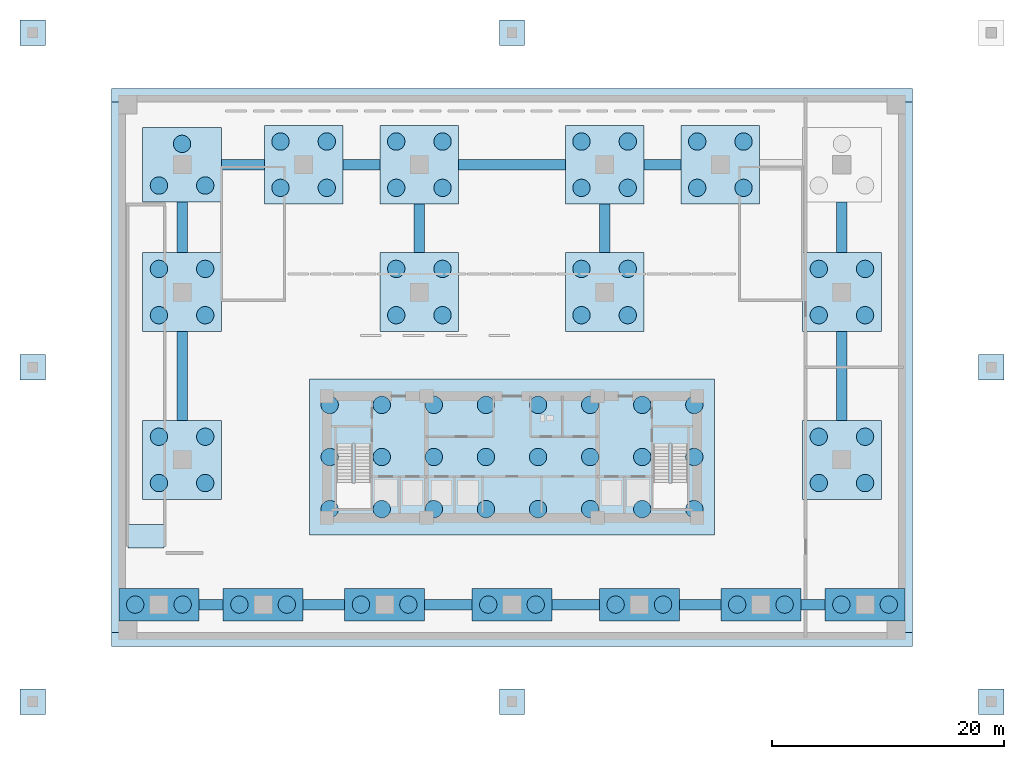
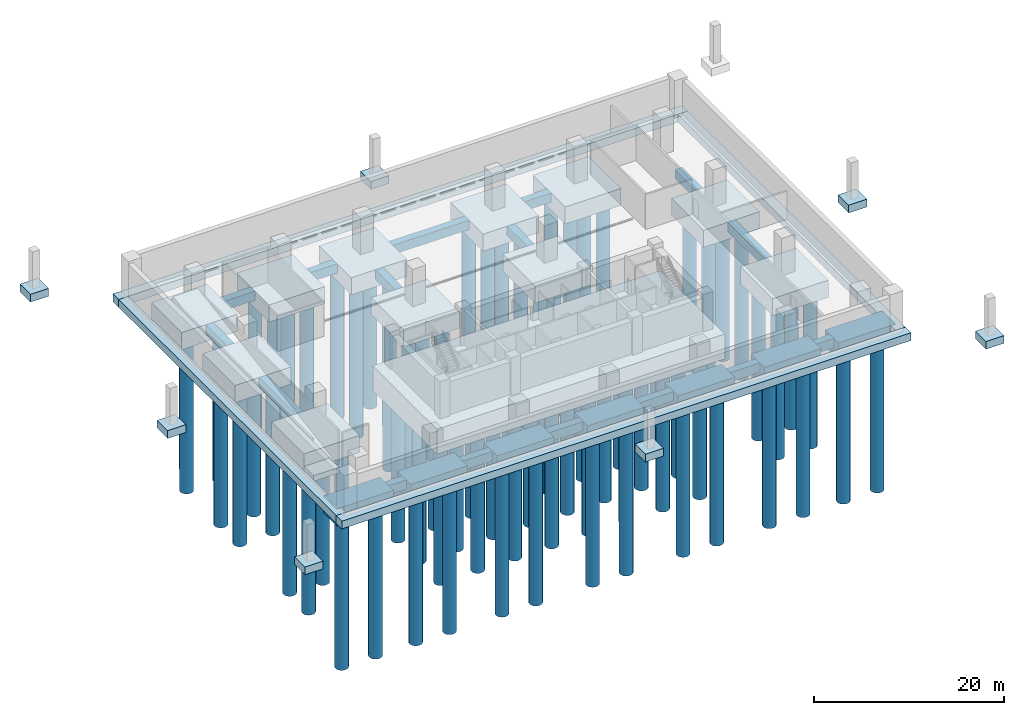
# One storey, part 1 of 8: 81 piles, 47 footings.
"""IFC4 building model written with IfcOpenShell, lengths in metres."""

from ifc_helpers import new_model, si_unit, direction, frame, origin, origin_2d, place, context, subcontext, project, spatial, polyline, rectangle, circle, outline, extrude, material, layer, layer_set, material_profile, profile_set, type_object, element, save


model = new_model("IFC4")

# Units and contexts
model_context = context("Model", 3, precision=1e-05, world=origin(), true_north=direction((0.0, 1.0)))
body_context = subcontext(model_context, "Body", "Model", "MODEL_VIEW")
ifc_project = project(units=[si_unit("LENGTHUNIT", "METRE"), si_unit("AREAUNIT", "SQUARE_METRE"), si_unit("VOLUMEUNIT", "CUBIC_METRE"), si_unit("PLANEANGLEUNIT", "RADIAN"), si_unit("MASSUNIT", "GRAM", prefix="KILO")], contexts=[model_context])

# Site, building, storey
site_placement = place(None, origin())
site = spatial("IfcSite", under=ifc_project, at=site_placement, CompositionType="ELEMENT")
building_placement = place(site_placement, origin())
building = spatial("IfcBuilding", under=site, at=building_placement, Name="Solmavex Isthmus Hotel", CompositionType="ELEMENT")
storey_placement = place(building_placement, frame((0.0, 0.0, -10.0)))
storey = spatial("IfcBuildingStorey", under=building, at=storey_placement, Name="B02", CompositionType="ELEMENT", Elevation=-10.0)

# Footings
ifc_material = material(Name="Concrete C50/60", Category="concrete")
ifc_layer_1 = layer(ifc_material, 1.0)
ifc_layer_set_1 = layer_set([ifc_layer_1], Name="Concrete C50/60")
footing_type_1 = type_object("IfcFootingType", Name="FTG-AP-2200", PredefinedType="PAD_FOOTING", material=ifc_layer_set_1)
footing_1_placement = place(storey_placement, frame((0.0, 0.0, -1.0)))
element("IfcFooting", 1, at=footing_1_placement, inside=storey, type_object=footing_type_1, Name="Plaza Pier Pad Footing AP-NW", PredefinedType="PAD_FOOTING", context=body_context, shape_type="SweptSolid", body=[
    extrude(outline(polyline([(-42.5, 27.800048828125), (-40.300048828125, 27.800048828125), (-40.300048828125, 30.0), (-42.5, 30.0), (-42.5, 27.800048828125)])), origin(), (0.0, 0.0, 1.0), 1.0),
])
footing_2_placement = place(storey_placement, frame((0.0, 0.0, -1.0)))
element("IfcFooting", 2, at=footing_2_placement, inside=storey, type_object=footing_type_1, Name="Plaza Pier Pad Footing AP-N0", PredefinedType="PAD_FOOTING", context=body_context, shape_type="SweptSolid", body=[
    extrude(outline(polyline([(-1.10009765625, 27.800048828125), (1.10009765625, 27.800048828125), (1.10009765625, 30.0), (-1.10009765625, 30.0), (-1.10009765625, 27.800048828125)])), origin(), (0.0, 0.0, 1.0), 1.0),
])
footing_3_placement = place(storey_placement, frame((0.0, 0.0, -1.0)))
element("IfcFooting", 3, at=footing_3_placement, inside=storey, type_object=footing_type_1, Name="Plaza Pier Pad Footing AP-SW", PredefinedType="PAD_FOOTING", context=body_context, shape_type="SweptSolid", body=[
    extrude(outline(polyline([(-42.5, -30.0), (-40.300048828125, -30.0), (-40.300048828125, -27.800048828125), (-42.5, -27.800048828125), (-42.5, -30.0)])), origin(), (0.0, 0.0, 1.0), 1.0),
])
footing_4_placement = place(storey_placement, frame((0.0, 0.0, -1.0)))
element("IfcFooting", 4, at=footing_4_placement, inside=storey, type_object=footing_type_1, Name="Plaza Pier Pad Footing AP-S0", PredefinedType="PAD_FOOTING", context=body_context, shape_type="SweptSolid", body=[
    extrude(outline(polyline([(-1.10009765625, -30.0), (1.10009765625, -30.0), (1.10009765625, -27.800048828125), (-1.10009765625, -27.800048828125), (-1.10009765625, -30.0)])), origin(), (0.0, 0.0, 1.0), 1.0),
])
footing_5_placement = place(storey_placement, frame((0.0, 0.0, -1.0)))
element("IfcFooting", 5, at=footing_5_placement, inside=storey, type_object=footing_type_1, Name="Plaza Pier Pad Footing AP-SE", PredefinedType="PAD_FOOTING", context=body_context, shape_type="SweptSolid", body=[
    extrude(outline(polyline([(40.300048828125, -30.0), (42.5, -30.0), (42.5, -27.800048828125), (40.300048828125, -27.800048828125), (40.300048828125, -30.0)])), origin(), (0.0, 0.0, 1.0), 1.0),
])
footing_6_placement = place(storey_placement, frame((0.0, 0.0, -1.0)))
element("IfcFooting", 6, at=footing_6_placement, inside=storey, type_object=footing_type_1, Name="Plaza Pier Pad Footing AP-W0", PredefinedType="PAD_FOOTING", context=body_context, shape_type="SweptSolid", body=[
    extrude(outline(polyline([(-42.5, -1.10009765625), (-40.300048828125, -1.10009765625), (-40.300048828125, 1.10009765625), (-42.5, 1.10009765625), (-42.5, -1.10009765625)])), origin(), (0.0, 0.0, 1.0), 1.0),
])
footing_7_placement = place(storey_placement, frame((0.0, 0.0, -1.0)))
element("IfcFooting", 7, at=footing_7_placement, inside=storey, type_object=footing_type_1, Name="Plaza Pier Pad Footing AP-E0", PredefinedType="PAD_FOOTING", context=body_context, shape_type="SweptSolid", body=[
    extrude(outline(polyline([(40.300048828125, -1.10009765625), (42.5, -1.10009765625), (42.5, 1.10009765625), (40.300048828125, 1.10009765625), (40.300048828125, -1.10009765625)])), origin(), (0.0, 0.0, 1.0), 1.0),
])
footing_8_placement = place(storey_placement, frame((0.0, 0.0, -1.0)))
element("IfcFooting", 8, at=footing_8_placement, inside=storey, type_object=footing_type_1, Name="Vehicular Ramp R1 Toe Bearing Pad Footing", PredefinedType="PAD_FOOTING", context=body_context, shape_type="SweptSolid", body=[
    extrude(outline(polyline([(-33.14990234375, -15.60009765625), (-30.050048828125, -15.60009765625), (-30.050048828125, -13.60009765625), (-33.14990234375, -13.60009765625), (-33.14990234375, -15.60009765625)])), origin(), (0.0, 0.0, 1.0), 0.719970703125),
])
ifc_layer_2 = layer(ifc_material, 2.199951171875)
ifc_layer_set_2 = layer_set([ifc_layer_2], Name="Concrete C50/60")
footing_type_2 = type_object("IfcFootingType", Name="FTG-FC-2P", PredefinedType="PILE_CAP", material=ifc_layer_set_2)
footing_9_placement = place(storey_placement, frame((0.0, 0.0, -2.64990234375)))
element("IfcFooting", 9, at=footing_9_placement, inside=storey, type_object=footing_type_2, Name="Combined Pile Cap PC-S1", PredefinedType="PILE_CAP", context=body_context, shape_type="SweptSolid", body=[
    extrude(outline(polyline([(-33.949951171875, -21.89990234375), (-27.050048828125, -21.89990234375), (-27.050048828125, -19.10009765625), (-33.949951171875, -19.10009765625), (-33.949951171875, -21.89990234375)])), origin(), (0.0, 0.0, 1.0), 2.199951171875),
])
footing_10_placement = place(storey_placement, frame((0.0, 0.0, -2.64990234375)))
element("IfcFooting", 10, at=footing_10_placement, inside=storey, type_object=footing_type_2, Name="Combined Pile Cap PC-S2", PredefinedType="PILE_CAP", context=body_context, shape_type="SweptSolid", body=[
    extrude(outline(polyline([(-24.949951171875, -21.89990234375), (-18.050048828125, -21.89990234375), (-18.050048828125, -19.10009765625), (-24.949951171875, -19.10009765625), (-24.949951171875, -21.89990234375)])), origin(), (0.0, 0.0, 1.0), 2.199951171875),
])
footing_11_placement = place(storey_placement, frame((0.0, 0.0, -2.64990234375)))
element("IfcFooting", 11, at=footing_11_placement, inside=storey, type_object=footing_type_2, Name="Combined Pile Cap PC-S3", PredefinedType="PILE_CAP", context=body_context, shape_type="SweptSolid", body=[
    extrude(outline(polyline([(-14.449951171875, -21.89990234375), (-7.550048828125, -21.89990234375), (-7.550048828125, -19.10009765625), (-14.449951171875, -19.10009765625), (-14.449951171875, -21.89990234375)])), origin(), (0.0, 0.0, 1.0), 2.199951171875),
])
footing_12_placement = place(storey_placement, frame((0.0, 0.0, -2.64990234375)))
element("IfcFooting", 12, at=footing_12_placement, inside=storey, type_object=footing_type_2, Name="Combined Pile Cap PC-S4", PredefinedType="PILE_CAP", context=body_context, shape_type="SweptSolid", body=[
    extrude(outline(polyline([(-3.449951171875, -21.89990234375), (3.449951171875, -21.89990234375), (3.449951171875, -19.10009765625), (-3.449951171875, -19.10009765625), (-3.449951171875, -21.89990234375)])), origin(), (0.0, 0.0, 1.0), 2.199951171875),
])
footing_13_placement = place(storey_placement, frame((0.0, 0.0, -2.64990234375)))
element("IfcFooting", 13, at=footing_13_placement, inside=storey, type_object=footing_type_2, Name="Combined Pile Cap PC-S5", PredefinedType="PILE_CAP", context=body_context, shape_type="SweptSolid", body=[
    extrude(outline(polyline([(7.550048828125, -21.89990234375), (14.449951171875, -21.89990234375), (14.449951171875, -19.10009765625), (7.550048828125, -19.10009765625), (7.550048828125, -21.89990234375)])), origin(), (0.0, 0.0, 1.0), 2.199951171875),
])
footing_14_placement = place(storey_placement, frame((0.0, 0.0, -2.64990234375)))
element("IfcFooting", 14, at=footing_14_placement, inside=storey, type_object=footing_type_2, Name="Combined Pile Cap PC-S6", PredefinedType="PILE_CAP", context=body_context, shape_type="SweptSolid", body=[
    extrude(outline(polyline([(18.050048828125, -21.89990234375), (24.949951171875, -21.89990234375), (24.949951171875, -19.10009765625), (18.050048828125, -19.10009765625), (18.050048828125, -21.89990234375)])), origin(), (0.0, 0.0, 1.0), 2.199951171875),
])
footing_15_placement = place(storey_placement, frame((0.0, 0.0, -2.64990234375)))
element("IfcFooting", 15, at=footing_15_placement, inside=storey, type_object=footing_type_2, Name="Combined Pile Cap PC-S7", PredefinedType="PILE_CAP", context=body_context, shape_type="SweptSolid", body=[
    extrude(outline(polyline([(27.050048828125, -21.89990234375), (33.949951171875, -21.89990234375), (33.949951171875, -19.10009765625), (27.050048828125, -19.10009765625), (27.050048828125, -21.89990234375)])), origin(), (0.0, 0.0, 1.0), 2.199951171875),
])
ifc_layer_3 = layer(ifc_material, 2.199951171875)
ifc_layer_set_3 = layer_set([ifc_layer_3], Name="Concrete C50/60")
footing_type_3 = type_object("IfcFootingType", Name="FTG-FC-3P", PredefinedType="PILE_CAP", material=ifc_layer_set_3)
footing_16_placement = place(storey_placement, frame((0.0, 0.0, -2.64990234375)))
element("IfcFooting", 16, at=footing_16_placement, inside=storey, type_object=footing_type_3, Name="Combined Pile Cap PC-N1", PredefinedType="PILE_CAP", context=body_context, shape_type="SweptSolid", body=[
    extrude(outline(polyline([(-31.89990234375, 14.300048828125), (-25.10009765625, 14.300048828125), (-25.10009765625, 20.699951171875), (-31.89990234375, 20.699951171875), (-31.89990234375, 14.300048828125)])), origin(), (0.0, 0.0, 1.0), 2.199951171875),
])
ifc_layer_4 = layer(ifc_material, 2.199951171875)
ifc_layer_set_4 = layer_set([ifc_layer_4], Name="Concrete C50/60")
footing_type_4 = type_object("IfcFootingType", Name="FTG-FC-4P", PredefinedType="PILE_CAP", material=ifc_layer_set_4)
footing_17_placement = place(storey_placement, frame((0.0, 0.0, -2.64990234375)))
element("IfcFooting", 17, at=footing_17_placement, inside=storey, type_object=footing_type_4, Name="Combined Pile Cap PC-W1", PredefinedType="PILE_CAP", context=body_context, shape_type="SweptSolid", body=[
    extrude(outline(polyline([(-31.89990234375, -11.39990234375), (-25.10009765625, -11.39990234375), (-25.10009765625, -4.60009765625), (-31.89990234375, -4.60009765625), (-31.89990234375, -11.39990234375)])), origin(), (0.0, 0.0, 1.0), 2.199951171875),
])
footing_18_placement = place(storey_placement, frame((0.0, 0.0, -2.64990234375)))
element("IfcFooting", 18, at=footing_18_placement, inside=storey, type_object=footing_type_4, Name="Combined Pile Cap PC-E1", PredefinedType="PILE_CAP", context=body_context, shape_type="SweptSolid", body=[
    extrude(outline(polyline([(25.10009765625, -11.39990234375), (31.89990234375, -11.39990234375), (31.89990234375, -4.60009765625), (25.10009765625, -4.60009765625), (25.10009765625, -11.39990234375)])), origin(), (0.0, 0.0, 1.0), 2.199951171875),
])
footing_19_placement = place(storey_placement, frame((0.0, 0.0, -2.64990234375)))
element("IfcFooting", 19, at=footing_19_placement, inside=storey, type_object=footing_type_4, Name="Combined Pile Cap PC-M1", PredefinedType="PILE_CAP", context=body_context, shape_type="SweptSolid", body=[
    extrude(outline(polyline([(-31.89990234375, 3.10009765625), (-25.10009765625, 3.10009765625), (-25.10009765625, 9.89990234375), (-31.89990234375, 9.89990234375), (-31.89990234375, 3.10009765625)])), origin(), (0.0, 0.0, 1.0), 2.199951171875),
])
footing_20_placement = place(storey_placement, frame((0.0, 0.0, -2.64990234375)))
element("IfcFooting", 20, at=footing_20_placement, inside=storey, type_object=footing_type_4, Name="Combined Pile Cap PC-M2", PredefinedType="PILE_CAP", context=body_context, shape_type="SweptSolid", body=[
    extrude(outline(polyline([(-11.39990234375, 3.10009765625), (-4.60009765625, 3.10009765625), (-4.60009765625, 9.89990234375), (-11.39990234375, 9.89990234375), (-11.39990234375, 3.10009765625)])), origin(), (0.0, 0.0, 1.0), 2.199951171875),
])
footing_21_placement = place(storey_placement, frame((0.0, 0.0, -2.64990234375)))
element("IfcFooting", 21, at=footing_21_placement, inside=storey, type_object=footing_type_4, Name="Combined Pile Cap PC-M3", PredefinedType="PILE_CAP", context=body_context, shape_type="SweptSolid", body=[
    extrude(outline(polyline([(4.60009765625, 3.10009765625), (11.39990234375, 3.10009765625), (11.39990234375, 9.89990234375), (4.60009765625, 9.89990234375), (4.60009765625, 3.10009765625)])), origin(), (0.0, 0.0, 1.0), 2.199951171875),
])
footing_22_placement = place(storey_placement, frame((0.0, 0.0, -2.64990234375)))
element("IfcFooting", 22, at=footing_22_placement, inside=storey, type_object=footing_type_4, Name="Combined Pile Cap PC-M4", PredefinedType="PILE_CAP", context=body_context, shape_type="SweptSolid", body=[
    extrude(outline(polyline([(25.10009765625, 3.10009765625), (31.89990234375, 3.10009765625), (31.89990234375, 9.89990234375), (25.10009765625, 9.89990234375), (25.10009765625, 3.10009765625)])), origin(), (0.0, 0.0, 1.0), 2.199951171875),
])
footing_23_placement = place(storey_placement, frame((0.0, 0.0, -2.64990234375)))
element("IfcFooting", 23, at=footing_23_placement, inside=storey, type_object=footing_type_4, Name="Combined Pile Cap PC-N2", PredefinedType="PILE_CAP", context=body_context, shape_type="SweptSolid", body=[
    extrude(outline(polyline([(-21.39990234375, 14.10009765625), (-14.60009765625, 14.10009765625), (-14.60009765625, 20.89990234375), (-21.39990234375, 20.89990234375), (-21.39990234375, 14.10009765625)])), origin(), (0.0, 0.0, 1.0), 2.199951171875),
])
footing_24_placement = place(storey_placement, frame((0.0, 0.0, -2.64990234375)))
element("IfcFooting", 24, at=footing_24_placement, inside=storey, type_object=footing_type_4, Name="Combined Pile Cap PC-N3", PredefinedType="PILE_CAP", context=body_context, shape_type="SweptSolid", body=[
    extrude(outline(polyline([(-11.39990234375, 14.10009765625), (-4.60009765625, 14.10009765625), (-4.60009765625, 20.89990234375), (-11.39990234375, 20.89990234375), (-11.39990234375, 14.10009765625)])), origin(), (0.0, 0.0, 1.0), 2.199951171875),
])
footing_25_placement = place(storey_placement, frame((0.0, 0.0, -2.64990234375)))
element("IfcFooting", 25, at=footing_25_placement, inside=storey, type_object=footing_type_4, Name="Combined Pile Cap PC-N4", PredefinedType="PILE_CAP", context=body_context, shape_type="SweptSolid", body=[
    extrude(outline(polyline([(4.60009765625, 14.10009765625), (11.39990234375, 14.10009765625), (11.39990234375, 20.89990234375), (4.60009765625, 20.89990234375), (4.60009765625, 14.10009765625)])), origin(), (0.0, 0.0, 1.0), 2.199951171875),
])
footing_26_placement = place(storey_placement, frame((0.0, 0.0, -2.64990234375)))
element("IfcFooting", 26, at=footing_26_placement, inside=storey, type_object=footing_type_4, Name="Combined Pile Cap PC-N5", PredefinedType="PILE_CAP", context=body_context, shape_type="SweptSolid", body=[
    extrude(outline(polyline([(14.60009765625, 14.10009765625), (21.39990234375, 14.10009765625), (21.39990234375, 20.89990234375), (14.60009765625, 20.89990234375), (14.60009765625, 14.10009765625)])), origin(), (0.0, 0.0, 1.0), 2.199951171875),
])
footing_type_5 = type_object("IfcFootingType", Name="FTG-GB-900X1200", PredefinedType="FOOTING_BEAM", material=ifc_material)
footing_27_placement = place(storey_placement, frame((-27.050048828125, -20.5, -1.050048828125), z_axis=(1.0, 0.0, 0.0), x_axis=(0.0, 1.0, 0.0)))
element("IfcFooting", 27, at=footing_27_placement, inside=storey, type_object=footing_type_5, Name="Foundation Tie Beam GB-01", PredefinedType="FOOTING_BEAM", context=body_context, shape_type="SweptSolid", body=[
    extrude(rectangle(XDim=0.89990234375, YDim=1.199951171875, at=origin_2d()), origin(), (0.0, 0.0, 1.0), 2.10009765625),
])
footing_28_placement = place(storey_placement, frame((-18.050048828125, -20.5, -1.050048828125), z_axis=(1.0, 0.0, 0.0), x_axis=(0.0, 1.0, 0.0)))
element("IfcFooting", 28, at=footing_28_placement, inside=storey, type_object=footing_type_5, Name="Foundation Tie Beam GB-02", PredefinedType="FOOTING_BEAM", context=body_context, shape_type="SweptSolid", body=[
    extrude(rectangle(XDim=0.89990234375, YDim=1.199951171875, at=origin_2d()), origin(), (0.0, 0.0, 1.0), 3.60009765625),
])
for number, where, z_axis, x_axis, name in (
    (29, (-7.550048828125, -20.5, -1.050048828125), (1.0, 0.0, 0.0), (0.0, 1.0, 0.0), "Foundation Tie Beam GB-03"),
    (30, (3.449951171875, -20.5, -1.050048828125), (1.0, 0.0, 0.0), (0.0, 1.0, 0.0), "Foundation Tie Beam GB-04"),
):
    element("IfcFooting", number, at=place(storey_placement, frame(where, z_axis=z_axis, x_axis=x_axis)), inside=storey, type_object=footing_type_5, Name=name, PredefinedType="FOOTING_BEAM", context=body_context, shape_type="SweptSolid", body=[
        extrude(rectangle(XDim=0.89990234375, YDim=1.199951171875, at=origin_2d()), origin(), (0.0, 0.0, 1.0), 4.10009765625),
    ])
footing_29_placement = place(storey_placement, frame((14.449951171875, -20.5, -1.050048828125), z_axis=(1.0, 0.0, 0.0), x_axis=(0.0, 1.0, 0.0)))
element("IfcFooting", 31, at=footing_29_placement, inside=storey, type_object=footing_type_5, Name="Foundation Tie Beam GB-05", PredefinedType="FOOTING_BEAM", context=body_context, shape_type="SweptSolid", body=[
    extrude(rectangle(XDim=0.89990234375, YDim=1.199951171875, at=origin_2d()), origin(), (0.0, 0.0, 1.0), 3.60009765625),
])
footing_30_placement = place(storey_placement, frame((24.949951171875, -20.5, -1.050048828125), z_axis=(1.0, 0.0, 0.0), x_axis=(0.0, 1.0, 0.0)))
element("IfcFooting", 32, at=footing_30_placement, inside=storey, type_object=footing_type_5, Name="Foundation Tie Beam GB-06", PredefinedType="FOOTING_BEAM", context=body_context, shape_type="SweptSolid", body=[
    extrude(rectangle(XDim=0.89990234375, YDim=1.199951171875, at=origin_2d()), origin(), (0.0, 0.0, 1.0), 2.10009765625),
])
footing_31_placement = place(storey_placement, frame((-28.5, -4.60009765625, -1.050048828125), z_axis=(0.0, 1.0, 0.0), x_axis=(-1.0, 0.0, 0.0)))
element("IfcFooting", 33, at=footing_31_placement, inside=storey, type_object=footing_type_5, Name="Foundation Tie Beam GB-07", PredefinedType="FOOTING_BEAM", context=body_context, shape_type="SweptSolid", body=[
    extrude(rectangle(XDim=0.89990234375, YDim=1.199951171875, at=origin_2d()), origin(), (0.0, 0.0, 1.0), 7.7001953125),
])
footing_32_placement = place(storey_placement, frame((-28.5, 9.89990234375, -1.050048828125), z_axis=(0.0, 1.0, 0.0), x_axis=(-1.0, 0.0, 0.0)))
element("IfcFooting", 34, at=footing_32_placement, inside=storey, type_object=footing_type_5, Name="Foundation Tie Beam GB-08", PredefinedType="FOOTING_BEAM", context=body_context, shape_type="SweptSolid", body=[
    extrude(rectangle(XDim=0.89990234375, YDim=1.199951171875, at=origin_2d()), origin(), (0.0, 0.0, 1.0), 4.400146484375),
])
footing_33_placement = place(storey_placement, frame((28.5, -4.60009765625, -1.050048828125), z_axis=(0.0, 1.0, 0.0), x_axis=(-1.0, 0.0, 0.0)))
element("IfcFooting", 35, at=footing_33_placement, inside=storey, type_object=footing_type_5, Name="Foundation Tie Beam GB-09", PredefinedType="FOOTING_BEAM", context=body_context, shape_type="SweptSolid", body=[
    extrude(rectangle(XDim=0.89990234375, YDim=1.199951171875, at=origin_2d()), origin(), (0.0, 0.0, 1.0), 7.7001953125),
])
footing_34_placement = place(storey_placement, frame((28.5, 9.89990234375, -1.050048828125), z_axis=(0.0, 1.0, 0.0), x_axis=(-1.0, 0.0, 0.0)))
element("IfcFooting", 36, at=footing_34_placement, inside=storey, type_object=footing_type_5, Name="Foundation Tie Beam GB-10", PredefinedType="FOOTING_BEAM", context=body_context, shape_type="SweptSolid", body=[
    extrude(rectangle(XDim=0.89990234375, YDim=1.199951171875, at=origin_2d()), origin(), (0.0, 0.0, 1.0), 4.400146484375),
])
footing_35_placement = place(storey_placement, frame((-25.10009765625, 17.5, -1.050048828125), z_axis=(1.0, 0.0, 0.0), x_axis=(0.0, 1.0, 0.0)))
element("IfcFooting", 37, at=footing_35_placement, inside=storey, type_object=footing_type_5, Name="Foundation Tie Beam GB-11", PredefinedType="FOOTING_BEAM", context=body_context, shape_type="SweptSolid", body=[
    extrude(rectangle(XDim=0.89990234375, YDim=1.199951171875, at=origin_2d()), origin(), (0.0, 0.0, 1.0), 3.7001953125),
])
footing_36_placement = place(storey_placement, frame((-14.60009765625, 17.5, -1.050048828125), z_axis=(1.0, 0.0, 0.0), x_axis=(0.0, 1.0, 0.0)))
element("IfcFooting", 38, at=footing_36_placement, inside=storey, type_object=footing_type_5, Name="Foundation Tie Beam GB-12", PredefinedType="FOOTING_BEAM", context=body_context, shape_type="SweptSolid", body=[
    extrude(rectangle(XDim=0.89990234375, YDim=1.199951171875, at=origin_2d()), origin(), (0.0, 0.0, 1.0), 3.2001953125),
])
footing_37_placement = place(storey_placement, frame((-4.60009765625, 17.5, -1.050048828125), z_axis=(1.0, 0.0, 0.0), x_axis=(0.0, 1.0, 0.0)))
element("IfcFooting", 39, at=footing_37_placement, inside=storey, type_object=footing_type_5, Name="Foundation Tie Beam GB-13", PredefinedType="FOOTING_BEAM", context=body_context, shape_type="SweptSolid", body=[
    extrude(rectangle(XDim=0.89990234375, YDim=1.199951171875, at=origin_2d()), origin(), (0.0, 0.0, 1.0), 9.2001953125),
])
footing_38_placement = place(storey_placement, frame((11.39990234375, 17.5, -1.050048828125), z_axis=(1.0, 0.0, 0.0), x_axis=(0.0, 1.0, 0.0)))
element("IfcFooting", 40, at=footing_38_placement, inside=storey, type_object=footing_type_5, Name="Foundation Tie Beam GB-14", PredefinedType="FOOTING_BEAM", context=body_context, shape_type="SweptSolid", body=[
    extrude(rectangle(XDim=0.89990234375, YDim=1.199951171875, at=origin_2d()), origin(), (0.0, 0.0, 1.0), 3.2001953125),
])
for number, where, z_axis, x_axis, name in (
    (41, (-8.0, 9.89990234375, -1.050048828125), (0.0, 1.0, 0.0), (-1.0, 0.0, 0.0), "Foundation Tie Beam GB-16"),
    (42, (8.0, 9.89990234375, -1.050048828125), (0.0, 1.0, 0.0), (-1.0, 0.0, 0.0), "Foundation Tie Beam GB-17"),
):
    element("IfcFooting", number, at=place(storey_placement, frame(where, z_axis=z_axis, x_axis=x_axis)), inside=storey, type_object=footing_type_5, Name=name, PredefinedType="FOOTING_BEAM", context=body_context, shape_type="SweptSolid", body=[
        extrude(rectangle(XDim=0.89990234375, YDim=1.199951171875, at=origin_2d()), origin(), (0.0, 0.0, 1.0), 4.2001953125),
    ])
ifc_layer_5 = layer(ifc_material, 3.199951171875)
ifc_layer_set_5 = layer_set([ifc_layer_5], Name="Concrete C50/60")
footing_type_6 = type_object("IfcFootingType", Name="FTG-RAFT-3200", PredefinedType="PAD_FOOTING", material=ifc_layer_set_5)
footing_39_placement = place(storey_placement, frame((0.0, 0.0, -3.64990234375)))
element("IfcFooting", 43, at=footing_39_placement, inside=storey, type_object=footing_type_6, Name="Core Piled Raft Foundation", PredefinedType="PAD_FOOTING", context=body_context, shape_type="SweptSolid", body=[
    extrude(outline(polyline([(-17.5, -14.5), (17.5, -14.5), (17.5, -1.0), (-17.5, -1.0), (-17.5, -14.5)])), origin(), (0.0, 0.0, 1.0), 3.199951171875),
])
ifc_layer_6 = layer(ifc_material, 1.0)
ifc_layer_set_6 = layer_set([ifc_layer_6], Name="Concrete C50/60")
footing_type_7 = type_object("IfcFootingType", Name="FTG-SF-1200X1000", PredefinedType="STRIP_FOOTING", material=ifc_layer_set_6)
footing_40_placement = place(storey_placement, frame((0.0, 0.0, -1.449951171875)))
element("IfcFooting", 44, at=footing_40_placement, inside=storey, type_object=footing_type_7, Name="Perimeter Strip Footing S", PredefinedType="STRIP_FOOTING", context=body_context, shape_type="SweptSolid", body=[
    extrude(outline(polyline([(-34.60009765625, -24.10009765625), (34.60009765625, -24.10009765625), (34.60009765625, -22.89990234375), (-34.60009765625, -22.89990234375), (-34.60009765625, -24.10009765625)])), origin(), (0.0, 0.0, 1.0), 1.0),
])
footing_41_placement = place(storey_placement, frame((0.0, 0.0, -1.449951171875)))
element("IfcFooting", 45, at=footing_41_placement, inside=storey, type_object=footing_type_7, Name="Perimeter Strip Footing N", PredefinedType="STRIP_FOOTING", context=body_context, shape_type="SweptSolid", body=[
    extrude(outline(polyline([(-34.60009765625, 22.89990234375), (34.60009765625, 22.89990234375), (34.60009765625, 24.10009765625), (-34.60009765625, 24.10009765625), (-34.60009765625, 22.89990234375)])), origin(), (0.0, 0.0, 1.0), 1.0),
])
footing_42_placement = place(storey_placement, frame((0.0, 0.0, -1.449951171875)))
element("IfcFooting", 46, at=footing_42_placement, inside=storey, type_object=footing_type_7, Name="Perimeter Strip Footing W", PredefinedType="STRIP_FOOTING", context=body_context, shape_type="SweptSolid", body=[
    extrude(outline(polyline([(-34.60009765625, -22.89990234375), (-33.39990234375, -22.89990234375), (-33.39990234375, 22.89990234375), (-34.60009765625, 22.89990234375), (-34.60009765625, -22.89990234375)])), origin(), (0.0, 0.0, 1.0), 1.0),
])
footing_43_placement = place(storey_placement, frame((0.0, 0.0, -1.449951171875)))
element("IfcFooting", 47, at=footing_43_placement, inside=storey, type_object=footing_type_7, Name="Perimeter Strip Footing E", PredefinedType="STRIP_FOOTING", context=body_context, shape_type="SweptSolid", body=[
    extrude(outline(polyline([(33.39990234375, -22.89990234375), (34.60009765625, -22.89990234375), (34.60009765625, 22.89990234375), (33.39990234375, 22.89990234375), (33.39990234375, -22.89990234375)])), origin(), (0.0, 0.0, 1.0), 1.0),
])

# Piles
ifc_material_profile = material_profile(ifc_material, circle(Radius=0.75, at=origin_2d()), Name="PILE1500")
ifc_profile_set = profile_set([ifc_material_profile], Name="Concrete C50/60")
pile_type = type_object("IfcPileType", Name="PILE-D1500", PredefinedType="BORED", material=ifc_profile_set)
for number, where, z_axis, x_axis, name in (
    (48, (-15.75, -12.25, -3.5), (0.0, 0.0, -1.0), (1.0, 0.0, 0.0), "Bored Pile RAFT-CORE-P01"),
    (49, (-11.25, -12.25, -3.5), (0.0, 0.0, -1.0), (1.0, 0.0, 0.0), "Bored Pile RAFT-CORE-P02"),
    (50, (-6.75, -12.25, -3.5), (0.0, 0.0, -1.0), (1.0, 0.0, 0.0), "Bored Pile RAFT-CORE-P03"),
    (51, (-2.25, -12.25, -3.5), (0.0, 0.0, -1.0), (1.0, 0.0, 0.0), "Bored Pile RAFT-CORE-P04"),
    (52, (2.25, -12.25, -3.5), (0.0, 0.0, -1.0), (1.0, 0.0, 0.0), "Bored Pile RAFT-CORE-P05"),
    (53, (6.75, -12.25, -3.5), (0.0, 0.0, -1.0), (1.0, 0.0, 0.0), "Bored Pile RAFT-CORE-P06"),
    (54, (11.25, -12.25, -3.5), (0.0, 0.0, -1.0), (1.0, 0.0, 0.0), "Bored Pile RAFT-CORE-P07"),
    (55, (15.75, -12.25, -3.5), (0.0, 0.0, -1.0), (1.0, 0.0, 0.0), "Bored Pile RAFT-CORE-P08"),
    (56, (-15.75, -7.75, -3.5), (0.0, 0.0, -1.0), (1.0, 0.0, 0.0), "Bored Pile RAFT-CORE-P09"),
    (57, (-11.25, -7.75, -3.5), (0.0, 0.0, -1.0), (1.0, 0.0, 0.0), "Bored Pile RAFT-CORE-P10"),
    (58, (-6.75, -7.75, -3.5), (0.0, 0.0, -1.0), (1.0, 0.0, 0.0), "Bored Pile RAFT-CORE-P11"),
    (59, (-2.25, -7.75, -3.5), (0.0, 0.0, -1.0), (1.0, 0.0, 0.0), "Bored Pile RAFT-CORE-P12"),
    (60, (2.25, -7.75, -3.5), (0.0, 0.0, -1.0), (1.0, 0.0, 0.0), "Bored Pile RAFT-CORE-P13"),
    (61, (6.75, -7.75, -3.5), (0.0, 0.0, -1.0), (1.0, 0.0, 0.0), "Bored Pile RAFT-CORE-P14"),
    (62, (11.25, -7.75, -3.5), (0.0, 0.0, -1.0), (1.0, 0.0, 0.0), "Bored Pile RAFT-CORE-P15"),
    (63, (15.75, -7.75, -3.5), (0.0, 0.0, -1.0), (1.0, 0.0, 0.0), "Bored Pile RAFT-CORE-P16"),
    (64, (-15.75, -3.25, -3.5), (0.0, 0.0, -1.0), (1.0, 0.0, 0.0), "Bored Pile RAFT-CORE-P17"),
    (65, (-11.25, -3.25, -3.5), (0.0, 0.0, -1.0), (1.0, 0.0, 0.0), "Bored Pile RAFT-CORE-P18"),
    (66, (-6.75, -3.25, -3.5), (0.0, 0.0, -1.0), (1.0, 0.0, 0.0), "Bored Pile RAFT-CORE-P19"),
    (67, (-2.25, -3.25, -3.5), (0.0, 0.0, -1.0), (1.0, 0.0, 0.0), "Bored Pile RAFT-CORE-P20"),
    (68, (2.25, -3.25, -3.5), (0.0, 0.0, -1.0), (1.0, 0.0, 0.0), "Bored Pile RAFT-CORE-P21"),
    (69, (6.75, -3.25, -3.5), (0.0, 0.0, -1.0), (1.0, 0.0, 0.0), "Bored Pile RAFT-CORE-P22"),
    (70, (11.25, -3.25, -3.5), (0.0, 0.0, -1.0), (1.0, 0.0, 0.0), "Bored Pile RAFT-CORE-P23"),
    (71, (15.75, -3.25, -3.5), (0.0, 0.0, -1.0), (1.0, 0.0, 0.0), "Bored Pile RAFT-CORE-P24"),
):
    element("IfcPile", number, at=place(storey_placement, frame(where, z_axis=z_axis, x_axis=x_axis)), inside=storey, type_object=pile_type, Name=name, PredefinedType="BORED", context=body_context, shape_type="SweptSolid", body=[
        extrude(circle(Radius=0.75, at=origin_2d()), origin(), (0.0, 0.0, 1.0), 18.5),
    ])
for number, where, z_axis, x_axis, name in (
    (72, (-32.550048828125, -20.5, -2.5), (0.0, 0.0, -1.0), (1.0, 0.0, 0.0), "Bored Pile PC-S1-P01"),
    (73, (-28.449951171875, -20.5, -2.5), (0.0, 0.0, -1.0), (1.0, 0.0, 0.0), "Bored Pile PC-S1-P02"),
    (74, (-23.550048828125, -20.5, -2.5), (0.0, 0.0, -1.0), (1.0, 0.0, 0.0), "Bored Pile PC-S2-P01"),
    (75, (-19.449951171875, -20.5, -2.5), (0.0, 0.0, -1.0), (1.0, 0.0, 0.0), "Bored Pile PC-S2-P02"),
    (76, (-13.050048828125, -20.5, -2.5), (0.0, 0.0, -1.0), (1.0, 0.0, 0.0), "Bored Pile PC-S3-P01"),
    (77, (-8.949951171875, -20.5, -2.5), (0.0, 0.0, -1.0), (1.0, 0.0, 0.0), "Bored Pile PC-S3-P02"),
    (78, (-2.050048828125, -20.5, -2.5), (0.0, 0.0, -1.0), (1.0, 0.0, 0.0), "Bored Pile PC-S4-P01"),
    (79, (2.050048828125, -20.5, -2.5), (0.0, 0.0, -1.0), (1.0, 0.0, 0.0), "Bored Pile PC-S4-P02"),
    (80, (8.949951171875, -20.5, -2.5), (0.0, 0.0, -1.0), (1.0, 0.0, 0.0), "Bored Pile PC-S5-P01"),
    (81, (13.050048828125, -20.5, -2.5), (0.0, 0.0, -1.0), (1.0, 0.0, 0.0), "Bored Pile PC-S5-P02"),
    (82, (19.449951171875, -20.5, -2.5), (0.0, 0.0, -1.0), (1.0, 0.0, 0.0), "Bored Pile PC-S6-P01"),
    (83, (23.550048828125, -20.5, -2.5), (0.0, 0.0, -1.0), (1.0, 0.0, 0.0), "Bored Pile PC-S6-P02"),
    (84, (28.449951171875, -20.5, -2.5), (0.0, 0.0, -1.0), (1.0, 0.0, 0.0), "Bored Pile PC-S7-P01"),
    (85, (32.550048828125, -20.5, -2.5), (0.0, 0.0, -1.0), (1.0, 0.0, 0.0), "Bored Pile PC-S7-P02"),
    (86, (-30.5, -10.0, -2.5), (0.0, 0.0, -1.0), (1.0, 0.0, 0.0), "Bored Pile PC-W1-P01"),
    (87, (-26.5, -10.0, -2.5), (0.0, 0.0, -1.0), (1.0, 0.0, 0.0), "Bored Pile PC-W1-P02"),
    (88, (-30.5, -6.0, -2.5), (0.0, 0.0, -1.0), (1.0, 0.0, 0.0), "Bored Pile PC-W1-P03"),
    (89, (-26.5, -6.0, -2.5), (0.0, 0.0, -1.0), (1.0, 0.0, 0.0), "Bored Pile PC-W1-P04"),
    (90, (26.5, -10.0, -2.5), (0.0, 0.0, -1.0), (1.0, 0.0, 0.0), "Bored Pile PC-E1-P01"),
    (91, (30.5, -10.0, -2.5), (0.0, 0.0, -1.0), (1.0, 0.0, 0.0), "Bored Pile PC-E1-P02"),
    (92, (26.5, -6.0, -2.5), (0.0, 0.0, -1.0), (1.0, 0.0, 0.0), "Bored Pile PC-E1-P03"),
    (93, (30.5, -6.0, -2.5), (0.0, 0.0, -1.0), (1.0, 0.0, 0.0), "Bored Pile PC-E1-P04"),
    (94, (-30.5, 4.5, -2.5), (0.0, 0.0, -1.0), (1.0, 0.0, 0.0), "Bored Pile PC-M1-P01"),
    (95, (-26.5, 4.5, -2.5), (0.0, 0.0, -1.0), (1.0, 0.0, 0.0), "Bored Pile PC-M1-P02"),
    (96, (-30.5, 8.5, -2.5), (0.0, 0.0, -1.0), (1.0, 0.0, 0.0), "Bored Pile PC-M1-P03"),
    (97, (-26.5, 8.5, -2.5), (0.0, 0.0, -1.0), (1.0, 0.0, 0.0), "Bored Pile PC-M1-P04"),
    (98, (-10.0, 4.5, -2.5), (0.0, 0.0, -1.0), (1.0, 0.0, 0.0), "Bored Pile PC-M2-P01"),
    (99, (-6.0, 4.5, -2.5), (0.0, 0.0, -1.0), (1.0, 0.0, 0.0), "Bored Pile PC-M2-P02"),
    (100, (-10.0, 8.5, -2.5), (0.0, 0.0, -1.0), (1.0, 0.0, 0.0), "Bored Pile PC-M2-P03"),
    (101, (-6.0, 8.5, -2.5), (0.0, 0.0, -1.0), (1.0, 0.0, 0.0), "Bored Pile PC-M2-P04"),
    (102, (6.0, 4.5, -2.5), (0.0, 0.0, -1.0), (1.0, 0.0, 0.0), "Bored Pile PC-M3-P01"),
    (103, (10.0, 4.5, -2.5), (0.0, 0.0, -1.0), (1.0, 0.0, 0.0), "Bored Pile PC-M3-P02"),
    (104, (6.0, 8.5, -2.5), (0.0, 0.0, -1.0), (1.0, 0.0, 0.0), "Bored Pile PC-M3-P03"),
    (105, (10.0, 8.5, -2.5), (0.0, 0.0, -1.0), (1.0, 0.0, 0.0), "Bored Pile PC-M3-P04"),
    (106, (26.5, 4.5, -2.5), (0.0, 0.0, -1.0), (1.0, 0.0, 0.0), "Bored Pile PC-M4-P01"),
    (107, (30.5, 4.5, -2.5), (0.0, 0.0, -1.0), (1.0, 0.0, 0.0), "Bored Pile PC-M4-P02"),
    (108, (26.5, 8.5, -2.5), (0.0, 0.0, -1.0), (1.0, 0.0, 0.0), "Bored Pile PC-M4-P03"),
    (109, (30.5, 8.5, -2.5), (0.0, 0.0, -1.0), (1.0, 0.0, 0.0), "Bored Pile PC-M4-P04"),
    (110, (-30.5, 15.699951171875, -2.5), (0.0, 0.0, -1.0), (1.0, 0.0, 0.0), "Bored Pile PC-N1-P01"),
    (111, (-26.5, 15.699951171875, -2.5), (0.0, 0.0, -1.0), (1.0, 0.0, 0.0), "Bored Pile PC-N1-P02"),
    (112, (-28.5, 19.300048828125, -2.5), (0.0, 0.0, -1.0), (1.0, 0.0, 0.0), "Bored Pile PC-N1-P03"),
    (113, (-20.0, 15.5, -2.5), (0.0, 0.0, -1.0), (1.0, 0.0, 0.0), "Bored Pile PC-N2-P01"),
    (114, (-16.0, 15.5, -2.5), (0.0, 0.0, -1.0), (1.0, 0.0, 0.0), "Bored Pile PC-N2-P02"),
    (115, (-20.0, 19.5, -2.5), (0.0, 0.0, -1.0), (1.0, 0.0, 0.0), "Bored Pile PC-N2-P03"),
    (116, (-16.0, 19.5, -2.5), (0.0, 0.0, -1.0), (1.0, 0.0, 0.0), "Bored Pile PC-N2-P04"),
    (117, (-10.0, 15.5, -2.5), (0.0, 0.0, -1.0), (1.0, 0.0, 0.0), "Bored Pile PC-N3-P01"),
    (118, (-6.0, 15.5, -2.5), (0.0, 0.0, -1.0), (1.0, 0.0, 0.0), "Bored Pile PC-N3-P02"),
    (119, (-10.0, 19.5, -2.5), (0.0, 0.0, -1.0), (1.0, 0.0, 0.0), "Bored Pile PC-N3-P03"),
    (120, (-6.0, 19.5, -2.5), (0.0, 0.0, -1.0), (1.0, 0.0, 0.0), "Bored Pile PC-N3-P04"),
    (121, (6.0, 15.5, -2.5), (0.0, 0.0, -1.0), (1.0, 0.0, 0.0), "Bored Pile PC-N4-P01"),
    (122, (10.0, 15.5, -2.5), (0.0, 0.0, -1.0), (1.0, 0.0, 0.0), "Bored Pile PC-N4-P02"),
    (123, (6.0, 19.5, -2.5), (0.0, 0.0, -1.0), (1.0, 0.0, 0.0), "Bored Pile PC-N4-P03"),
    (124, (10.0, 19.5, -2.5), (0.0, 0.0, -1.0), (1.0, 0.0, 0.0), "Bored Pile PC-N4-P04"),
    (125, (16.0, 15.5, -2.5), (0.0, 0.0, -1.0), (1.0, 0.0, 0.0), "Bored Pile PC-N5-P01"),
    (126, (20.0, 15.5, -2.5), (0.0, 0.0, -1.0), (1.0, 0.0, 0.0), "Bored Pile PC-N5-P02"),
    (127, (16.0, 19.5, -2.5), (0.0, 0.0, -1.0), (1.0, 0.0, 0.0), "Bored Pile PC-N5-P03"),
    (128, (20.0, 19.5, -2.5), (0.0, 0.0, -1.0), (1.0, 0.0, 0.0), "Bored Pile PC-N5-P04"),
):
    element("IfcPile", number, at=place(storey_placement, frame(where, z_axis=z_axis, x_axis=x_axis)), inside=storey, type_object=pile_type, Name=name, PredefinedType="BORED", context=body_context, shape_type="SweptSolid", body=[
        extrude(circle(Radius=0.75, at=origin_2d()), origin(), (0.0, 0.0, 1.0), 19.5),
    ])

save(model, "model.ifc")
